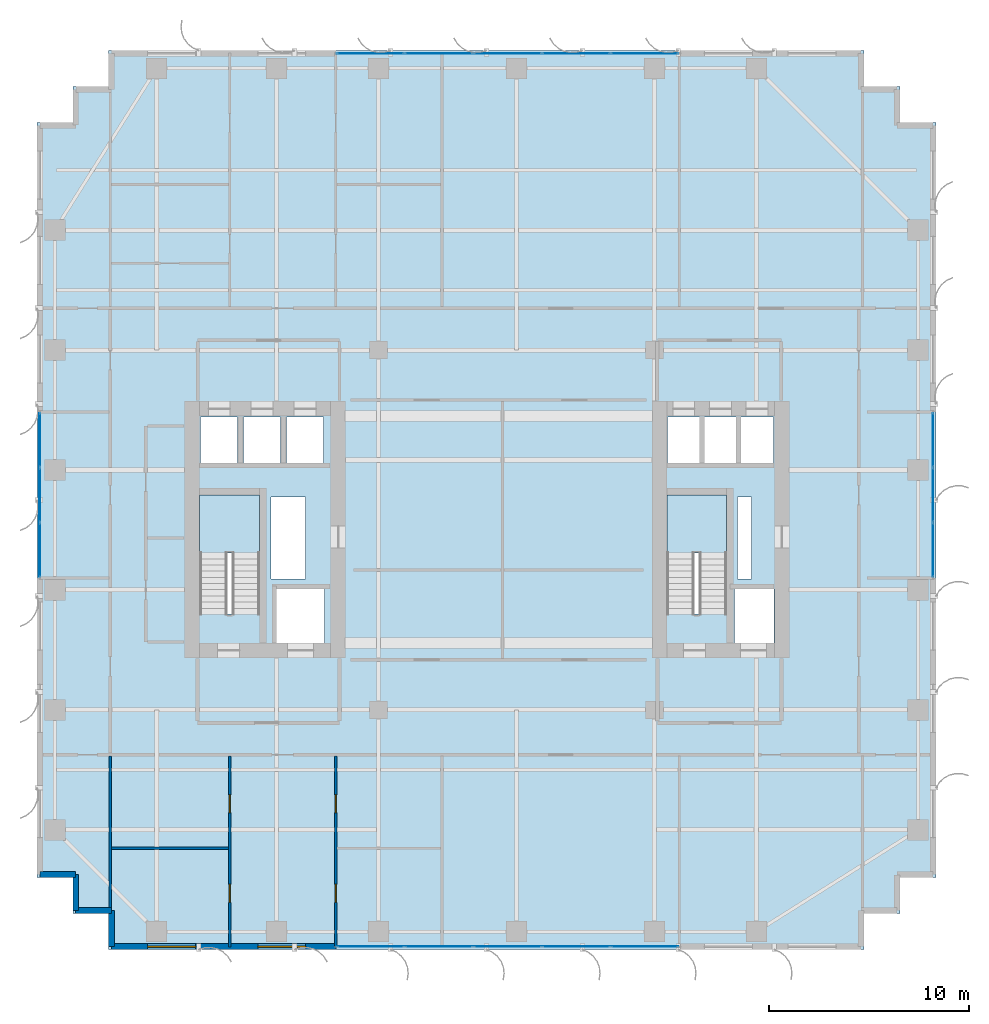
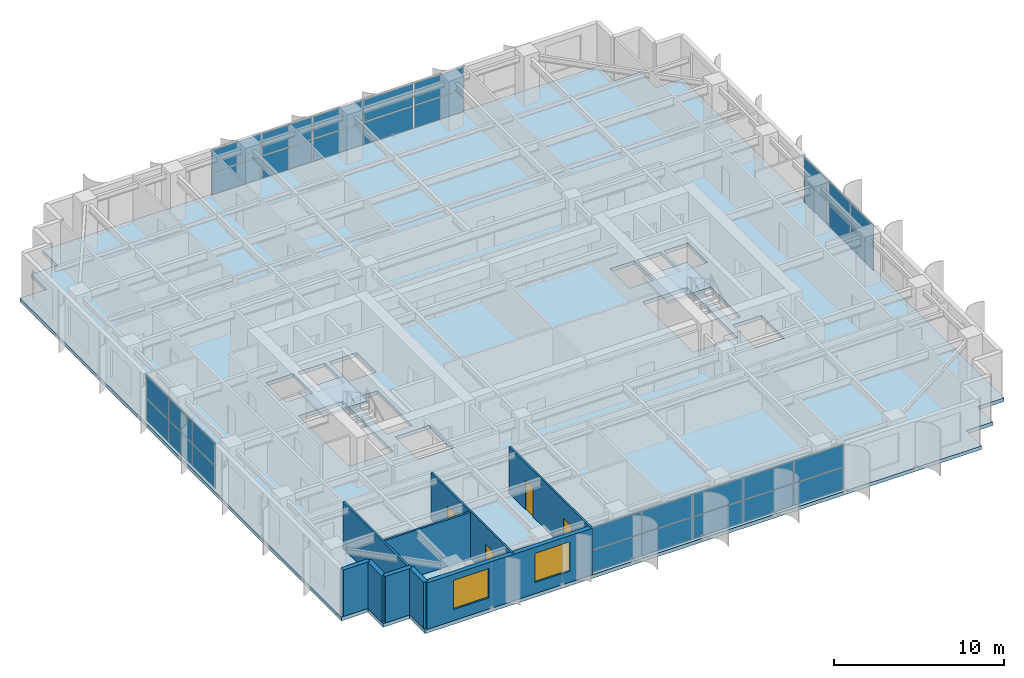
# One storey, part 19 of 26: 32 plates, 9 walls, 4 doors, 3 slabs, 2 windows, 6 openings, 6 elements without a shape of their own.
"""IFC4 building model written with IfcOpenShell, lengths in metres."""

from ifc_helpers import new_model, si_unit, direction, frame, frame_2d, origin, origin_2d, place, context, subcontext, project, spatial, polyline, rectangle, outline, extrude, source, transform, mapped, material, layer, layer_set, type_object, element, fill, aggregate, save


model = new_model("IFC4")

# Units and contexts
model_context = context("Model", 3, precision=1e-05, world=origin(), true_north=direction((0.0, 1.0)))
body_context = subcontext(model_context, "Body", "Model", "MODEL_VIEW")
ifc_project = project(units=[si_unit("LENGTHUNIT", "METRE"), si_unit("AREAUNIT", "SQUARE_METRE"), si_unit("VOLUMEUNIT", "CUBIC_METRE"), si_unit("PLANEANGLEUNIT", "RADIAN"), si_unit("MASSUNIT", "GRAM", prefix="KILO")], contexts=[model_context])

# Site, building, storey
site_placement = place(None, origin())
site = spatial("IfcSite", under=ifc_project, at=site_placement, CompositionType="ELEMENT")
building_placement = place(site_placement, origin())
building = spatial("IfcBuilding", under=site, at=building_placement, Name="Khoralis Quay Care Tower", CompositionType="ELEMENT")
storey_placement = place(building_placement, frame((0.0, 0.0, 126.89990234375)))
storey = spatial("IfcBuildingStorey", under=building, at=storey_placement, Name="L33", CompositionType="ELEMENT", Elevation=126.89990234375)

# Stair, slab
ifc_material_1 = material(Name="Precast concrete C45/55", Category="concrete")
stair_type = type_object("IfcStairType", Name="ST-TWR-DOGLEG-1400", PredefinedType="HALF_TURN_STAIR", material=ifc_material_1)
stair_1_placement = place(storey_placement, origin())
stair_1 = element("IfcStair", 1, at=stair_1_placement, inside=storey, type_object=stair_type, Name="L33 West Core Exit Stair ST-T1", PredefinedType="HALF_TURN_STAIR")
ifc_layer_1 = layer(ifc_material_1, 0.199951171875)
ifc_layer_set_1 = layer_set([ifc_layer_1], Name="Precast concrete C45/55")
slab_type_1 = type_object("IfcSlabType", Name="SLB-LANDING-200", PredefinedType="LANDING", material=ifc_layer_set_1)
slab_1_placement = place(storey_placement, frame((0.0, 0.0, 1.60009765625)))
slab_1 = element("IfcSlab", 2, at=slab_1_placement, type_object=slab_type_1, Name="ST-T1 landing 1", PredefinedType="LANDING", context=body_context, shape_type="SweptSolid", body=[
    extrude(outline(polyline([(11.14990234375, 19.840087890625), (11.14990234375, 22.75), (8.14990234375, 22.75), (8.14990234375, 19.840087890625), (11.14990234375, 19.840087890625)])), origin(), (0.0, 0.0, 1.0), 0.199951171875),
])
aggregate(stair_1, [slab_1])

stair_2_placement = place(storey_placement, origin())
stair_2 = element("IfcStair", 3, at=stair_2_placement, inside=storey, type_object=stair_type, Name="L33 East Core Exit Stair ST-T2", PredefinedType="HALF_TURN_STAIR")
slab_2_placement = place(storey_placement, frame((0.0, 0.0, 1.60009765625)))
slab_2 = element("IfcSlab", 4, at=slab_2_placement, type_object=slab_type_1, Name="ST-T2 landing 1", PredefinedType="LANDING", context=body_context, shape_type="SweptSolid", body=[
    extrude(outline(polyline([(34.52001953125, 19.840087890625), (34.52001953125, 22.75), (31.52001953125, 22.75), (31.52001953125, 19.840087890625), (34.52001953125, 19.840087890625)])), origin(), (0.0, 0.0, 1.0), 0.199951171875),
])
aggregate(stair_2, [slab_2])

# Slab
ifc_material_2 = material(Name="Concrete C40/50", Category="concrete")
ifc_layer_2 = layer(ifc_material_2, 0.260009765625)
ifc_layer_set_2 = layer_set([ifc_layer_2], Name="Concrete C40/50")
slab_type_2 = type_object("IfcSlabType", Name="SLB-TWR-260", PredefinedType="FLOOR", material=ifc_layer_set_2)
slab_3_placement = place(storey_placement, frame((0.0, 0.0, -0.260009765625)))
element("IfcSlab", 5, at=slab_3_placement, inside=storey, type_object=slab_type_2, Name="Tower Floor Slab L33", PredefinedType="FLOOR", context=body_context, shape_type="SweptSolid", body=[
    extrude(outline(polyline([(3.60009765625, 0.0), (41.39990234375, 0.0), (41.39990234375, 1.800048828125), (43.199951171875, 1.800048828125), (43.199951171875, 3.60009765625), (45.0, 3.60009765625), (45.0, 41.39990234375), (43.199951171875, 41.39990234375), (43.199951171875, 43.199951171875), (41.39990234375, 43.199951171875), (41.39990234375, 45.0), (3.60009765625, 45.0), (3.60009765625, 43.199951171875), (1.800048828125, 43.199951171875), (1.800048828125, 41.39990234375), (0.0, 41.39990234375), (0.0, 3.60009765625), (1.800048828125, 3.60009765625), (1.800048828125, 1.800048828125), (3.60009765625, 1.800048828125), (3.60009765625, 0.0)]), holes=[polyline([(11.14990234375, 16.800048828125), (11.14990234375, 22.75), (8.14990234375, 22.75), (8.14990234375, 16.800048828125), (11.14990234375, 16.800048828125)]), polyline([(34.52001953125, 16.800048828125), (34.52001953125, 22.75), (31.52001953125, 22.75), (31.52001953125, 16.800048828125), (34.52001953125, 16.800048828125)]), polyline([(12.0, 15.35009765625), (14.39990234375, 15.35009765625), (14.39990234375, 18.050048828125), (12.0, 18.050048828125), (12.0, 15.35009765625)]), polyline([(34.919921875, 15.35009765625), (36.8798828125, 15.35009765625), (36.8798828125, 18.050048828125), (34.919921875, 18.050048828125), (34.919921875, 15.35009765625)]), polyline([(8.199951171875, 24.35009765625), (10.050048828125, 24.35009765625), (10.050048828125, 26.64990234375), (8.199951171875, 26.64990234375), (8.199951171875, 24.35009765625)]), polyline([(31.550048828125, 24.35009765625), (33.199951171875, 24.35009765625), (33.199951171875, 26.64990234375), (31.550048828125, 26.64990234375), (31.550048828125, 24.35009765625)]), polyline([(10.35009765625, 24.35009765625), (12.199951171875, 24.35009765625), (12.199951171875, 26.64990234375), (10.35009765625, 26.64990234375), (10.35009765625, 24.35009765625)]), polyline([(33.3798828125, 24.35009765625), (35.030029296875, 24.35009765625), (35.030029296875, 26.64990234375), (33.3798828125, 26.64990234375), (33.3798828125, 24.35009765625)]), polyline([(12.5, 24.35009765625), (14.35009765625, 24.35009765625), (14.35009765625, 26.64990234375), (12.5, 26.64990234375), (12.5, 24.35009765625)]), polyline([(35.199951171875, 24.35009765625), (36.85009765625, 24.35009765625), (36.85009765625, 26.64990234375), (35.199951171875, 26.64990234375), (35.199951171875, 24.35009765625)]), polyline([(11.719970703125, 18.550048828125), (13.449951171875, 18.550048828125), (13.449951171875, 22.64990234375), (11.719970703125, 22.64990234375), (11.719970703125, 18.550048828125)]), polyline([(35.050048828125, 18.550048828125), (35.75, 18.550048828125), (35.75, 22.64990234375), (35.050048828125, 22.64990234375), (35.050048828125, 18.550048828125)])]), origin(), (0.0, 0.0, 1.0), 0.260009765625),
])

# Curtain wall, plates
ifc_material_3 = material(Name="Pale anodised aluminium", Category="aluminium")
ifc_layer_3 = layer(ifc_material_3, 0.169921875)
ifc_layer_set_3 = layer_set([ifc_layer_3], Name="Pale anodised aluminium")
curtain_wall_type = type_object("IfcCurtainWallType", Name="CW-SYS-Z2", PredefinedType="NOTDEFINED", material=ifc_layer_set_3)
curtain_wall_1_placement = place(storey_placement, origin())
curtain_wall_1 = element("IfcCurtainWall", 6, at=curtain_wall_1_placement, inside=storey, type_object=curtain_wall_type, Name="L33 Unitised Curtain Wall CW-L33-P1-E5", PredefinedType="NOTDEFINED")
ifc_material_4 = material(Name="Low-E solar-control double glazing", Category="glass")
ifc_layer_4 = layer(ifc_material_4, 0.031982421875)
ifc_layer_set_4 = layer_set([ifc_layer_4], Name="Low-E solar-control double glazing")
plate_type = type_object("IfcPlateType", Name="PNL-VIS-32", PredefinedType="CURTAIN_PANEL", material=ifc_layer_set_4)
shared_shape_1 = source(origin(), body_context, "Body", "SweptSolid", [
    extrude(rectangle(XDim=2.6767578125, YDim=0.028076171875, at=origin_2d()), origin(), (0.0, 0.0, 1.0), 1.580078125),
])
plate_1_placement = place(storey_placement, frame((44.85009765625, 19.998291015625, 0.06005859375), z_axis=(0.0, 0.0, 1.0), x_axis=(0.0, 1.0, 0.0)))
plate_1 = element("IfcPlate", 7, at=plate_1_placement, type_object=plate_type, Name="CW2 panel 1.1", PredefinedType="CURTAIN_PANEL", context=body_context, shape_type="MappedRepresentation", body=[
    mapped(shared_shape_1, transform((0.0, 0.0, 0.0), scale=1.0)),
])
plate_2_placement = place(storey_placement, frame((44.85009765625, 19.998291015625, 1.699951171875), z_axis=(0.0, 0.0, 1.0), x_axis=(0.0, 1.0, 0.0)))
plate_2 = element("IfcPlate", 8, at=plate_2_placement, type_object=plate_type, Name="CW2 panel 1.2", PredefinedType="CURTAIN_PANEL", context=body_context, shape_type="MappedRepresentation", body=[
    mapped(shared_shape_1, transform((0.0, 0.0, 0.0), scale=1.0)),
])
plate_3_placement = place(storey_placement, frame((44.85009765625, 25.501708984375, 0.06005859375), z_axis=(0.0, 0.0, 1.0), x_axis=(0.0, 1.0, 0.0)))
plate_3 = element("IfcPlate", 9, at=plate_3_placement, type_object=plate_type, Name="CW2 panel 3.1", PredefinedType="CURTAIN_PANEL", context=body_context, shape_type="MappedRepresentation", body=[
    mapped(shared_shape_1, transform((0.0, 0.0, 0.0), scale=1.0)),
])
plate_4_placement = place(storey_placement, frame((44.85009765625, 25.501708984375, 1.699951171875), z_axis=(0.0, 0.0, 1.0), x_axis=(0.0, 1.0, 0.0)))
plate_4 = element("IfcPlate", 10, at=plate_4_placement, type_object=plate_type, Name="CW2 panel 3.2", PredefinedType="CURTAIN_PANEL", context=body_context, shape_type="MappedRepresentation", body=[
    mapped(shared_shape_1, transform((0.0, 0.0, 0.0), scale=1.0)),
])

curtain_wall_2_placement = place(storey_placement, origin())
curtain_wall_2 = element("IfcCurtainWall", 11, at=curtain_wall_2_placement, inside=storey, type_object=curtain_wall_type, Name="L33 Unitised Curtain Wall CW-L33-P1-E15", PredefinedType="NOTDEFINED")
plate_5_placement = place(storey_placement, frame((0.14990234375, 25.501708984375, 0.06005859375), z_axis=(0.0, 0.0, 1.0), x_axis=(0.0, -1.0, 0.0)))
plate_5 = element("IfcPlate", 12, at=plate_5_placement, type_object=plate_type, Name="CW2 panel 1.1", PredefinedType="CURTAIN_PANEL", context=body_context, shape_type="MappedRepresentation", body=[
    mapped(shared_shape_1, transform((0.0, 0.0, 0.0), scale=1.0)),
])
plate_6_placement = place(storey_placement, frame((0.14990234375, 25.501708984375, 1.699951171875), z_axis=(0.0, 0.0, 1.0), x_axis=(0.0, -1.0, 0.0)))
plate_6 = element("IfcPlate", 13, at=plate_6_placement, type_object=plate_type, Name="CW2 panel 1.2", PredefinedType="CURTAIN_PANEL", context=body_context, shape_type="MappedRepresentation", body=[
    mapped(shared_shape_1, transform((0.0, 0.0, 0.0), scale=1.0)),
])
plate_7_placement = place(storey_placement, frame((0.14990234375, 19.998291015625, 0.06005859375), z_axis=(0.0, 0.0, 1.0), x_axis=(0.0, -1.0, 0.0)))
plate_7 = element("IfcPlate", 14, at=plate_7_placement, type_object=plate_type, Name="CW2 panel 3.1", PredefinedType="CURTAIN_PANEL", context=body_context, shape_type="MappedRepresentation", body=[
    mapped(shared_shape_1, transform((0.0, 0.0, 0.0), scale=1.0)),
])
plate_8_placement = place(storey_placement, frame((0.14990234375, 19.998291015625, 1.699951171875), z_axis=(0.0, 0.0, 1.0), x_axis=(0.0, -1.0, 0.0)))
plate_8 = element("IfcPlate", 15, at=plate_8_placement, type_object=plate_type, Name="CW2 panel 3.2", PredefinedType="CURTAIN_PANEL", context=body_context, shape_type="MappedRepresentation", body=[
    mapped(shared_shape_1, transform((0.0, 0.0, 0.0), scale=1.0)),
])

# Plate
shared_shape_2 = source(origin(), body_context, "Body", "SweptSolid", [
    extrude(rectangle(XDim=2.706787109375, YDim=0.028076171875, at=origin_2d()), origin(), (0.0, 0.0, 1.0), 1.580078125),
])
plate_9_placement = place(storey_placement, frame((44.85009765625, 22.75, 0.06005859375), z_axis=(0.0, 0.0, 1.0), x_axis=(0.0, 1.0, 0.0)))
plate_9 = element("IfcPlate", 16, at=plate_9_placement, type_object=plate_type, Name="CW2 panel 2.1", PredefinedType="CURTAIN_PANEL", context=body_context, shape_type="MappedRepresentation", body=[
    mapped(shared_shape_2, transform((0.0, 0.0, 0.0), scale=1.0)),
])

plate_10_placement = place(storey_placement, frame((44.85009765625, 22.75, 1.699951171875), z_axis=(0.0, 0.0, 1.0), x_axis=(0.0, 1.0, 0.0)))
plate_10 = element("IfcPlate", 17, at=plate_10_placement, type_object=plate_type, Name="CW2 panel 2.2", PredefinedType="CURTAIN_PANEL", context=body_context, shape_type="MappedRepresentation", body=[
    mapped(shared_shape_2, transform((0.0, 0.0, 0.0), scale=1.0)),
])

aggregate(curtain_wall_1, [plate_1, plate_2, plate_9, plate_10, plate_3, plate_4])

plate_11_placement = place(storey_placement, frame((0.14990234375, 22.75, 0.06005859375), z_axis=(0.0, 0.0, 1.0), x_axis=(0.0, -1.0, 0.0)))
plate_11 = element("IfcPlate", 18, at=plate_11_placement, type_object=plate_type, Name="CW2 panel 2.1", PredefinedType="CURTAIN_PANEL", context=body_context, shape_type="MappedRepresentation", body=[
    mapped(shared_shape_2, transform((0.0, 0.0, 0.0), scale=1.0)),
])

plate_12_placement = place(storey_placement, frame((0.14990234375, 22.75, 1.699951171875), z_axis=(0.0, 0.0, 1.0), x_axis=(0.0, -1.0, 0.0)))
plate_12 = element("IfcPlate", 19, at=plate_12_placement, type_object=plate_type, Name="CW2 panel 2.2", PredefinedType="CURTAIN_PANEL", context=body_context, shape_type="MappedRepresentation", body=[
    mapped(shared_shape_2, transform((0.0, 0.0, 0.0), scale=1.0)),
])

aggregate(curtain_wall_2, [plate_5, plate_6, plate_11, plate_12, plate_7, plate_8])

# Curtain wall, plates
curtain_wall_3_placement = place(storey_placement, origin())
curtain_wall_3 = element("IfcCurtainWall", 20, at=curtain_wall_3_placement, inside=storey, type_object=curtain_wall_type, Name="L33 Unitised Curtain Wall CW-L33-P1-E0", PredefinedType="NOTDEFINED")
shared_shape_3 = source(origin(), body_context, "Body", "SweptSolid", [
    extrude(rectangle(XDim=3.347900390625, YDim=0.028076171875, at=origin_2d()), origin(), (0.0, 0.0, 1.0), 1.580078125),
])
plate_13_placement = place(storey_placement, frame((16.69482421875, 0.14990234375, 0.06005859375), z_axis=(0.0, 0.0, 1.0), x_axis=(1.0, 0.0, 0.0)))
plate_13 = element("IfcPlate", 21, at=plate_13_placement, type_object=plate_type, Name="CW2 panel 1.1", PredefinedType="CURTAIN_PANEL", context=body_context, shape_type="MappedRepresentation", body=[
    mapped(shared_shape_3, transform((0.0, 0.0, 0.0), scale=1.0)),
])
plate_14_placement = place(storey_placement, frame((16.69482421875, 0.14990234375, 1.699951171875), z_axis=(0.0, 0.0, 1.0), x_axis=(1.0, 0.0, 0.0)))
plate_14 = element("IfcPlate", 22, at=plate_14_placement, type_object=plate_type, Name="CW2 panel 1.2", PredefinedType="CURTAIN_PANEL", context=body_context, shape_type="MappedRepresentation", body=[
    mapped(shared_shape_3, transform((0.0, 0.0, 0.0), scale=1.0)),
])
plate_15_placement = place(storey_placement, frame((30.416015625, 0.14990234375, 0.06005859375), z_axis=(0.0, 0.0, 1.0), x_axis=(1.0, 0.0, 0.0)))
plate_15 = element("IfcPlate", 23, at=plate_15_placement, type_object=plate_type, Name="CW2 panel 5.1", PredefinedType="CURTAIN_PANEL", context=body_context, shape_type="MappedRepresentation", body=[
    mapped(shared_shape_3, transform((0.0, 0.0, 0.0), scale=1.0)),
])
plate_16_placement = place(storey_placement, frame((30.416015625, 0.14990234375, 1.699951171875), z_axis=(0.0, 0.0, 1.0), x_axis=(1.0, 0.0, 0.0)))
plate_16 = element("IfcPlate", 24, at=plate_16_placement, type_object=plate_type, Name="CW2 panel 5.2", PredefinedType="CURTAIN_PANEL", context=body_context, shape_type="MappedRepresentation", body=[
    mapped(shared_shape_3, transform((0.0, 0.0, 0.0), scale=1.0)),
])

curtain_wall_4_placement = place(storey_placement, origin())
curtain_wall_4 = element("IfcCurtainWall", 25, at=curtain_wall_4_placement, inside=storey, type_object=curtain_wall_type, Name="L33 Unitised Curtain Wall CW-L33-P1-E10", PredefinedType="NOTDEFINED")
plate_17_placement = place(storey_placement, frame((30.416015625, 44.85009765625, 0.06005859375), z_axis=(0.0, 0.0, 1.0), x_axis=(-1.0, 0.0, 0.0)))
plate_17 = element("IfcPlate", 26, at=plate_17_placement, type_object=plate_type, Name="CW2 panel 1.1", PredefinedType="CURTAIN_PANEL", context=body_context, shape_type="MappedRepresentation", body=[
    mapped(shared_shape_3, transform((0.0, 0.0, 0.0), scale=1.0)),
])
plate_18_placement = place(storey_placement, frame((30.416015625, 44.85009765625, 1.699951171875), z_axis=(0.0, 0.0, 1.0), x_axis=(-1.0, 0.0, 0.0)))
plate_18 = element("IfcPlate", 27, at=plate_18_placement, type_object=plate_type, Name="CW2 panel 1.2", PredefinedType="CURTAIN_PANEL", context=body_context, shape_type="MappedRepresentation", body=[
    mapped(shared_shape_3, transform((0.0, 0.0, 0.0), scale=1.0)),
])
plate_19_placement = place(storey_placement, frame((16.69482421875, 44.85009765625, 0.06005859375), z_axis=(0.0, 0.0, 1.0), x_axis=(-1.0, 0.0, 0.0)))
plate_19 = element("IfcPlate", 28, at=plate_19_placement, type_object=plate_type, Name="CW2 panel 5.1", PredefinedType="CURTAIN_PANEL", context=body_context, shape_type="MappedRepresentation", body=[
    mapped(shared_shape_3, transform((0.0, 0.0, 0.0), scale=1.0)),
])
plate_20_placement = place(storey_placement, frame((16.69482421875, 44.85009765625, 1.699951171875), z_axis=(0.0, 0.0, 1.0), x_axis=(-1.0, 0.0, 0.0)))
plate_20 = element("IfcPlate", 29, at=plate_20_placement, type_object=plate_type, Name="CW2 panel 5.2", PredefinedType="CURTAIN_PANEL", context=body_context, shape_type="MappedRepresentation", body=[
    mapped(shared_shape_3, transform((0.0, 0.0, 0.0), scale=1.0)),
])

# Plate
shared_shape_4 = source(origin(), body_context, "Body", "SweptSolid", [
    extrude(rectangle(XDim=3.377685546875, YDim=0.028076171875, at=origin_2d()), origin(), (0.0, 0.0, 1.0), 1.580078125),
])
plate_21_placement = place(storey_placement, frame((20.11767578125, 0.14990234375, 0.06005859375), z_axis=(0.0, 0.0, 1.0), x_axis=(1.0, 0.0, 0.0)))
plate_21 = element("IfcPlate", 30, at=plate_21_placement, type_object=plate_type, Name="CW2 panel 2.1", PredefinedType="CURTAIN_PANEL", context=body_context, shape_type="MappedRepresentation", body=[
    mapped(shared_shape_4, transform((0.0, 0.0, 0.0), scale=1.0)),
])

plate_22_placement = place(storey_placement, frame((20.11767578125, 0.14990234375, 1.699951171875), z_axis=(0.0, 0.0, 1.0), x_axis=(1.0, 0.0, 0.0)))
plate_22 = element("IfcPlate", 31, at=plate_22_placement, type_object=plate_type, Name="CW2 panel 2.2", PredefinedType="CURTAIN_PANEL", context=body_context, shape_type="MappedRepresentation", body=[
    mapped(shared_shape_4, transform((0.0, 0.0, 0.0), scale=1.0)),
])

plate_23_placement = place(storey_placement, frame((23.555419921875, 0.14990234375, 0.06005859375), z_axis=(0.0, 0.0, 1.0), x_axis=(1.0, 0.0, 0.0)))
plate_23 = element("IfcPlate", 32, at=plate_23_placement, type_object=plate_type, Name="CW2 panel 3.1", PredefinedType="CURTAIN_PANEL", context=body_context, shape_type="MappedRepresentation", body=[
    mapped(shared_shape_4, transform((0.0, 0.0, 0.0), scale=1.0)),
])

plate_24_placement = place(storey_placement, frame((23.555419921875, 0.14990234375, 1.699951171875), z_axis=(0.0, 0.0, 1.0), x_axis=(1.0, 0.0, 0.0)))
plate_24 = element("IfcPlate", 33, at=plate_24_placement, type_object=plate_type, Name="CW2 panel 3.2", PredefinedType="CURTAIN_PANEL", context=body_context, shape_type="MappedRepresentation", body=[
    mapped(shared_shape_4, transform((0.0, 0.0, 0.0), scale=1.0)),
])

plate_25_placement = place(storey_placement, frame((26.993408203125, 0.14990234375, 0.06005859375), z_axis=(0.0, 0.0, 1.0), x_axis=(1.0, 0.0, 0.0)))
plate_25 = element("IfcPlate", 34, at=plate_25_placement, type_object=plate_type, Name="CW2 panel 4.1", PredefinedType="CURTAIN_PANEL", context=body_context, shape_type="MappedRepresentation", body=[
    mapped(shared_shape_4, transform((0.0, 0.0, 0.0), scale=1.0)),
])

plate_26_placement = place(storey_placement, frame((26.993408203125, 0.14990234375, 1.699951171875), z_axis=(0.0, 0.0, 1.0), x_axis=(1.0, 0.0, 0.0)))
plate_26 = element("IfcPlate", 35, at=plate_26_placement, type_object=plate_type, Name="CW2 panel 4.2", PredefinedType="CURTAIN_PANEL", context=body_context, shape_type="MappedRepresentation", body=[
    mapped(shared_shape_4, transform((0.0, 0.0, 0.0), scale=1.0)),
])

aggregate(curtain_wall_3, [plate_13, plate_14, plate_21, plate_22, plate_23, plate_24, plate_25, plate_26, plate_15, plate_16])

plate_27_placement = place(storey_placement, frame((26.993408203125, 44.85009765625, 0.06005859375), z_axis=(0.0, 0.0, 1.0), x_axis=(-1.0, 0.0, 0.0)))
plate_27 = element("IfcPlate", 36, at=plate_27_placement, type_object=plate_type, Name="CW2 panel 2.1", PredefinedType="CURTAIN_PANEL", context=body_context, shape_type="MappedRepresentation", body=[
    mapped(shared_shape_4, transform((0.0, 0.0, 0.0), scale=1.0)),
])

plate_28_placement = place(storey_placement, frame((26.993408203125, 44.85009765625, 1.699951171875), z_axis=(0.0, 0.0, 1.0), x_axis=(-1.0, 0.0, 0.0)))
plate_28 = element("IfcPlate", 37, at=plate_28_placement, type_object=plate_type, Name="CW2 panel 2.2", PredefinedType="CURTAIN_PANEL", context=body_context, shape_type="MappedRepresentation", body=[
    mapped(shared_shape_4, transform((0.0, 0.0, 0.0), scale=1.0)),
])

plate_29_placement = place(storey_placement, frame((23.555419921875, 44.85009765625, 0.06005859375), z_axis=(0.0, 0.0, 1.0), x_axis=(-1.0, 0.0, 0.0)))
plate_29 = element("IfcPlate", 38, at=plate_29_placement, type_object=plate_type, Name="CW2 panel 3.1", PredefinedType="CURTAIN_PANEL", context=body_context, shape_type="MappedRepresentation", body=[
    mapped(shared_shape_4, transform((0.0, 0.0, 0.0), scale=1.0)),
])

plate_30_placement = place(storey_placement, frame((23.555419921875, 44.85009765625, 1.699951171875), z_axis=(0.0, 0.0, 1.0), x_axis=(-1.0, 0.0, 0.0)))
plate_30 = element("IfcPlate", 39, at=plate_30_placement, type_object=plate_type, Name="CW2 panel 3.2", PredefinedType="CURTAIN_PANEL", context=body_context, shape_type="MappedRepresentation", body=[
    mapped(shared_shape_4, transform((0.0, 0.0, 0.0), scale=1.0)),
])

plate_31_placement = place(storey_placement, frame((20.11767578125, 44.85009765625, 0.06005859375), z_axis=(0.0, 0.0, 1.0), x_axis=(-1.0, 0.0, 0.0)))
plate_31 = element("IfcPlate", 40, at=plate_31_placement, type_object=plate_type, Name="CW2 panel 4.1", PredefinedType="CURTAIN_PANEL", context=body_context, shape_type="MappedRepresentation", body=[
    mapped(shared_shape_4, transform((0.0, 0.0, 0.0), scale=1.0)),
])

plate_32_placement = place(storey_placement, frame((20.11767578125, 44.85009765625, 1.699951171875), z_axis=(0.0, 0.0, 1.0), x_axis=(-1.0, 0.0, 0.0)))
plate_32 = element("IfcPlate", 41, at=plate_32_placement, type_object=plate_type, Name="CW2 panel 4.2", PredefinedType="CURTAIN_PANEL", context=body_context, shape_type="MappedRepresentation", body=[
    mapped(shared_shape_4, transform((0.0, 0.0, 0.0), scale=1.0)),
])

aggregate(curtain_wall_4, [plate_17, plate_18, plate_27, plate_28, plate_29, plate_30, plate_31, plate_32, plate_19, plate_20])

# Wall, openings, windows
ifc_layer_5 = layer(ifc_material_1, 0.300048828125)
ifc_layer_set_5 = layer_set([ifc_layer_5], Name="Precast concrete C45/55")
wall_type_1 = type_object("IfcWallType", Name="WL-EXT-REF-300", PredefinedType="SOLIDWALL", material=ifc_layer_set_5)
wall_1_placement = place(storey_placement, frame((3.75, 0.14990234375, 0.0), z_axis=(0.0, 0.0, 1.0), x_axis=(1.0, 0.0, 0.0)))
wall_1 = element("IfcWall", 42, at=wall_1_placement, inside=storey, type_object=wall_type_1, Name="L33 External Facade Wall WL-EXT-L33-P1-E0A", PredefinedType="SOLIDWALL", context=body_context, shape_type="SweptSolid", body=[
    extrude(rectangle(XDim=11.2109375, YDim=0.300048828125, at=frame_2d((5.60546875, 0.0))), origin(), (0.0, 0.0, 1.0), 3.340087890625),
])
opening_1_placement = place(wall_1_placement, frame((1.801025390625, 0.0, 0.800048828125)))
opening_1 = element("IfcOpeningElement", 43, at=opening_1_placement, cuts=wall_1, Name="Opening W1", PredefinedType="OPENING", context=body_context, shape_type="SweptSolid", body=[
    extrude(rectangle(XDim=2.39990234375, YDim=2.10009765625, at=frame_2d((1.199951171875, 1.050048828125))), frame((0.0, 0.16015625, 0.0), z_axis=(0.0, -1.0, 0.0), x_axis=(1.0, 0.0, 0.0)), (0.0, 0.0, 1.0), 0.320068359375),
])
opening_2_placement = place(wall_1_placement, frame((7.306396484375, 0.0, 0.800048828125)))
opening_2 = element("IfcOpeningElement", 44, at=opening_2_placement, cuts=wall_1, Name="Opening W1", PredefinedType="OPENING", context=body_context, shape_type="SweptSolid", body=[
    extrude(rectangle(XDim=2.39990234375, YDim=2.10009765625, at=frame_2d((1.199951171875, 1.050048828125))), frame((0.0, 0.16015625, 0.0), z_axis=(0.0, -1.0, 0.0), x_axis=(1.0, 0.0, 0.0)), (0.0, 0.0, 1.0), 0.320068359375),
])
window_type = type_object("IfcWindowType", Name="WN-POD-2400X2100", PartitioningType="SINGLE_PANEL", PredefinedType="WINDOW", material=ifc_material_4)
shared_shape_5 = source(origin(), body_context, "Body", "SweptSolid", [
    extrude(rectangle(XDim=2.39990234375, YDim=2.10009765625, at=frame_2d((1.199951171875, 1.050048828125))), frame((0.0, 0.030029296875, 0.0), z_axis=(0.0, -1.0, 0.0), x_axis=(1.0, 0.0, 0.0)), (0.0, 0.0, 1.0), 0.06005859375),
])
window_1_placement = place(opening_1_placement, origin())
window_1 = element("IfcWindow", 45, at=window_1_placement, inside=storey, type_object=window_type, Name="WN-L33-P1-E0A Facade Window 01", OverallHeight=2.10009765625, OverallWidth=2.39990234375, PartitioningType="SINGLE_PANEL", PredefinedType="WINDOW", context=body_context, shape_type="MappedRepresentation", body=[
    mapped(shared_shape_5, transform((0.0, 0.0, 0.0), scale=1.0)),
])
fill(opening_1, window_1)
window_2_placement = place(opening_2_placement, origin())
window_2 = element("IfcWindow", 46, at=window_2_placement, inside=storey, type_object=window_type, Name="WN-L33-P1-E0A Facade Window 02", OverallHeight=2.10009765625, OverallWidth=2.39990234375, PartitioningType="SINGLE_PANEL", PredefinedType="WINDOW", context=body_context, shape_type="MappedRepresentation", body=[
    mapped(shared_shape_5, transform((0.0, 0.0, 0.0), scale=1.0)),
])
fill(opening_2, window_2)

# Walls
for number, where, z_axis, x_axis, name in (
    (47, (0.14990234375, 3.75, 0.0), (0.0, 0.0, 1.0), (1.0, 0.0, 0.0), "L33 External Facade Wall WL-EXT-L33-P1-C16"),
    (48, (1.949951171875, 3.75, 0.0), (0.0, 0.0, 1.0), (0.0, -1.0, 0.0), "L33 External Facade Wall WL-EXT-L33-P1-C17"),
    (49, (1.949951171875, 1.949951171875, 0.0), (0.0, 0.0, 1.0), (1.0, 0.0, 0.0), "L33 External Facade Wall WL-EXT-L33-P1-C18"),
    (50, (3.75, 1.949951171875, 0.0), (0.0, 0.0, 1.0), (0.0, -1.0, 0.0), "L33 External Facade Wall WL-EXT-L33-P1-C19"),
):
    element("IfcWall", number, at=place(storey_placement, frame(where, z_axis=z_axis, x_axis=x_axis)), inside=storey, type_object=wall_type_1, Name=name, PredefinedType="SOLIDWALL", context=body_context, shape_type="SweptSolid", body=[
        extrude(rectangle(XDim=1.800048828125, YDim=0.300048828125, at=frame_2d((0.89990234375, 0.0))), origin(), (0.0, 0.0, 1.0), 3.340087890625),
    ])

# Wall, openings, doors
ifc_material_5 = material(Name="Gypsum plasterboard on acoustic metal stud")
ifc_layer_6 = layer(ifc_material_5, 0.114990234375)
ifc_layer_set_6 = layer_set([ifc_layer_6], Name="Gypsum plasterboard on acoustic metal stud")
wall_type_2 = type_object("IfcWallType", Name="WL-PART-115", PredefinedType="PARTITIONING", material=ifc_layer_set_6)
wall_2_placement = place(storey_placement, frame((9.652099609375, 0.14501953125, 0.0), z_axis=(0.0, 0.0, 1.0), x_axis=(0.0, 1.0, 0.0)))
wall_2 = element("IfcWall", 51, at=wall_2_placement, inside=storey, type_object=wall_type_2, Name="L33 2BR 0 Left Wall", PredefinedType="PARTITIONING", context=body_context, shape_type="SweptSolid", body=[
    extrude(rectangle(XDim=9.53759765625, YDim=0.114990234375, at=frame_2d((4.768798828125, 0.0))), origin(), (0.0, 0.0, 1.0), 3.340087890625),
])
opening_3_placement = place(wall_2_placement, frame((2.217529296875, 0.0, 0.0)))
opening_3 = element("IfcOpeningElement", 52, at=opening_3_placement, cuts=wall_2, Name="Opening WD1", PredefinedType="OPENING", context=body_context, shape_type="SweptSolid", body=[
    extrude(rectangle(XDim=0.89990234375, YDim=2.10009765625, at=frame_2d((0.449951171875, 1.050048828125))), frame((0.0, 0.0673828125, 0.0), z_axis=(0.0, -1.0, 0.0), x_axis=(1.0, 0.0, 0.0)), (0.0, 0.0, 1.0), 0.135009765625),
])
opening_4_placement = place(wall_2_placement, frame((6.70751953125, 0.0, 0.0)))
opening_4 = element("IfcOpeningElement", 53, at=opening_4_placement, cuts=wall_2, Name="Opening WD1", PredefinedType="OPENING", context=body_context, shape_type="SweptSolid", body=[
    extrude(rectangle(XDim=0.89990234375, YDim=2.10009765625, at=frame_2d((0.449951171875, 1.050048828125))), frame((0.0, 0.0673828125, 0.0), z_axis=(0.0, -1.0, 0.0), x_axis=(1.0, 0.0, 0.0)), (0.0, 0.0, 1.0), 0.135009765625),
])
ifc_material_6 = material(Name="Acoustic hardwood timber", Category="wood")
door_type = type_object("IfcDoorType", Name="DR-BATH-900X2100", OperationType="NOTDEFINED", PredefinedType="DOOR", material=ifc_material_6)
shared_shape_6 = source(origin(), body_context, "Body", "SweptSolid", [
    extrude(rectangle(XDim=0.89990234375, YDim=2.10009765625, at=frame_2d((0.449951171875, 1.050048828125))), frame((0.0, 0.02490234375, 0.0), z_axis=(0.0, -1.0, 0.0), x_axis=(1.0, 0.0, 0.0)), (0.0, 0.0, 1.0), 0.050048828125),
])
door_1_placement = place(opening_3_placement, origin())
door_1 = element("IfcDoor", 54, at=door_1_placement, inside=storey, type_object=door_type, Name="L33 2BR BD1 Door", OperationType="SINGLE_SWING_RIGHT", OverallHeight=2.10009765625, OverallWidth=0.89990234375, PredefinedType="DOOR", context=body_context, shape_type="MappedRepresentation", body=[
    mapped(shared_shape_6, transform((0.0, 0.0, 0.0), scale=1.0)),
])
fill(opening_3, door_1)
door_2_placement = place(opening_4_placement, origin())
door_2 = element("IfcDoor", 55, at=door_2_placement, inside=storey, type_object=door_type, Name="L33 2BR BTH Door", OperationType="SINGLE_SWING_LEFT", OverallHeight=2.10009765625, OverallWidth=0.89990234375, PredefinedType="DOOR", context=body_context, shape_type="MappedRepresentation", body=[
    mapped(shared_shape_6, transform((0.0, 0.0, 0.0), scale=1.0)),
])
fill(opening_4, door_2)

wall_3_placement = place(storey_placement, frame((14.9609375, 0.14501953125, 0.0), z_axis=(0.0, 0.0, 1.0), x_axis=(0.0, 1.0, 0.0)))
wall_3 = element("IfcWall", 56, at=wall_3_placement, inside=storey, type_object=wall_type_2, Name="L33 2BR 0 Right Wall", PredefinedType="PARTITIONING", context=body_context, shape_type="SweptSolid", body=[
    extrude(rectangle(XDim=9.53759765625, YDim=0.114990234375, at=frame_2d((4.768798828125, 0.0))), origin(), (0.0, 0.0, 1.0), 3.340087890625),
])
opening_5_placement = place(wall_3_placement, frame((2.217529296875, 0.0, 0.0)))
opening_5 = element("IfcOpeningElement", 57, at=opening_5_placement, cuts=wall_3, Name="Opening WD1", PredefinedType="OPENING", context=body_context, shape_type="SweptSolid", body=[
    extrude(rectangle(XDim=0.89990234375, YDim=2.10009765625, at=frame_2d((0.449951171875, 1.050048828125))), frame((0.0, 0.0673828125, 0.0), z_axis=(0.0, -1.0, 0.0), x_axis=(1.0, 0.0, 0.0)), (0.0, 0.0, 1.0), 0.135009765625),
])
opening_6_placement = place(wall_3_placement, frame((6.70751953125, 0.0, 0.0)))
opening_6 = element("IfcOpeningElement", 58, at=opening_6_placement, cuts=wall_3, Name="Opening WD1", PredefinedType="OPENING", context=body_context, shape_type="SweptSolid", body=[
    extrude(rectangle(XDim=0.89990234375, YDim=2.10009765625, at=frame_2d((0.449951171875, 1.050048828125))), frame((0.0, 0.0673828125, 0.0), z_axis=(0.0, -1.0, 0.0), x_axis=(1.0, 0.0, 0.0)), (0.0, 0.0, 1.0), 0.135009765625),
])
door_3_placement = place(opening_5_placement, frame((0.89990234375, 0.0, 0.0), z_axis=(0.0, 0.0, 1.0), x_axis=(-1.0, 0.0, 0.0)))
door_3 = element("IfcDoor", 59, at=door_3_placement, inside=storey, type_object=door_type, Name="L33 2BR BD2 Door", OperationType="SINGLE_SWING_RIGHT", OverallHeight=2.10009765625, OverallWidth=0.89990234375, PredefinedType="DOOR", context=body_context, shape_type="MappedRepresentation", body=[
    mapped(shared_shape_6, transform((0.0, 0.0, 0.0), scale=1.0)),
])
fill(opening_5, door_3)
door_4_placement = place(opening_6_placement, frame((0.89990234375, 0.0, 0.0), z_axis=(0.0, 0.0, 1.0), x_axis=(-1.0, 0.0, 0.0)))
door_4 = element("IfcDoor", 60, at=door_4_placement, inside=storey, type_object=door_type, Name="L33 2BR KIT Door", OperationType="SINGLE_SWING_LEFT", OverallHeight=2.10009765625, OverallWidth=0.89990234375, PredefinedType="DOOR", context=body_context, shape_type="MappedRepresentation", body=[
    mapped(shared_shape_6, transform((0.0, 0.0, 0.0), scale=1.0)),
])
fill(opening_6, door_4)

# Walls
ifc_material_7 = material(Name="Moisture-resistant gypsum and ceramic tile")
ifc_layer_7 = layer(ifc_material_7, 0.280029296875)
ifc_layer_set_7 = layer_set([ifc_layer_7], Name="Moisture-resistant gypsum and ceramic tile")
wall_type_3 = type_object("IfcWallType", Name="WL-PLUMB-280", PredefinedType="PLUMBINGWALL", material=ifc_layer_set_7)
wall_4_placement = place(storey_placement, frame((3.7451171875, 5.074951171875, 0.0), z_axis=(0.0, 0.0, 1.0), x_axis=(1.0, 0.0, 0.0)))
element("IfcWall", 61, at=wall_4_placement, inside=storey, type_object=wall_type_3, Name="L33 2BR 0 Left Split", PredefinedType="PLUMBINGWALL", context=body_context, shape_type="SweptSolid", body=[
    extrude(rectangle(XDim=5.8544921875, YDim=0.139892578125, at=frame_2d((2.92724609375, 0.0))), origin(), (0.0, 0.0, 1.0), 3.340087890625),
])
ifc_layer_8 = layer(ifc_material_5, 0.139892578125)
ifc_layer_set_8 = layer_set([ifc_layer_8], Name="Gypsum plasterboard on acoustic metal stud")
wall_type_4 = type_object("IfcWallType", Name="WL-UNIT-140", PredefinedType="PARTITIONING", material=ifc_layer_set_8)
wall_5_placement = place(storey_placement, frame((3.679931640625, 1.945068359375, 0.0), z_axis=(0.0, 0.0, 1.0), x_axis=(0.0, 1.0, 0.0)))
element("IfcWall", 62, at=wall_5_placement, inside=storey, type_object=wall_type_4, Name="L33 SB Demising Wall 0", PredefinedType="PARTITIONING", context=body_context, shape_type="SweptSolid", body=[
    extrude(rectangle(XDim=7.737548828125, YDim=0.139892578125, at=frame_2d((3.86865234375, 0.0))), origin(), (0.0, 0.0, 1.0), 3.340087890625),
])

save(model, "model.ifc")
